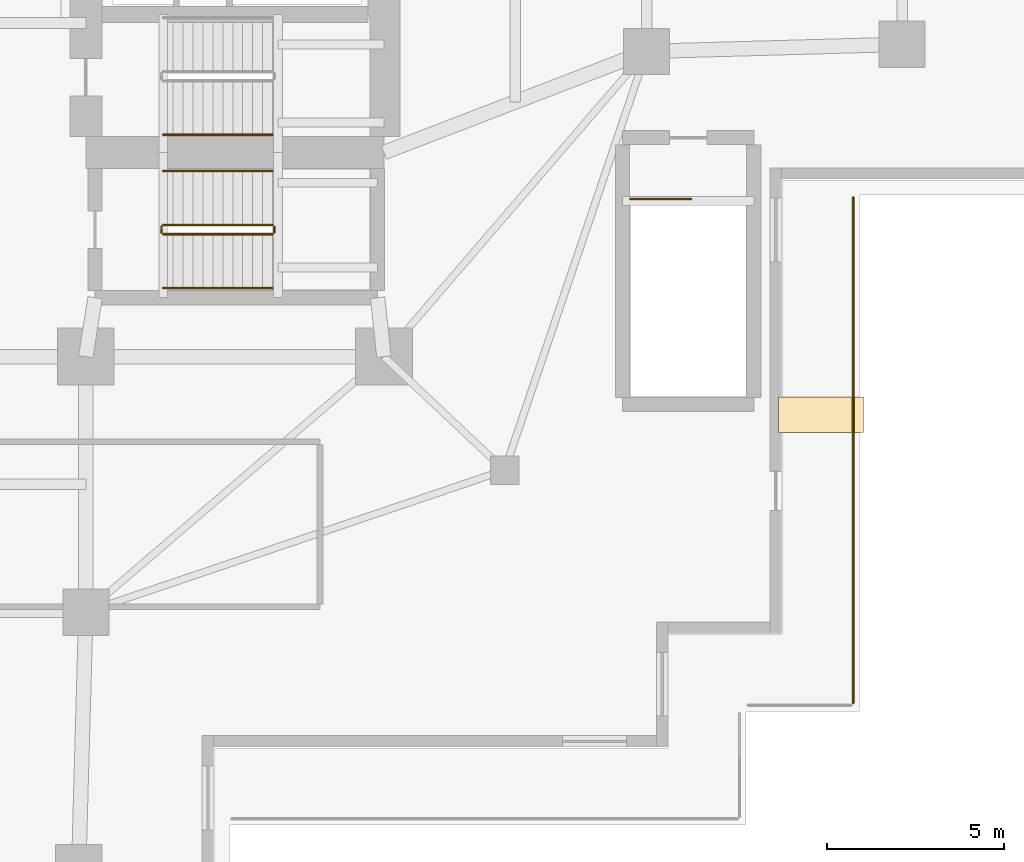
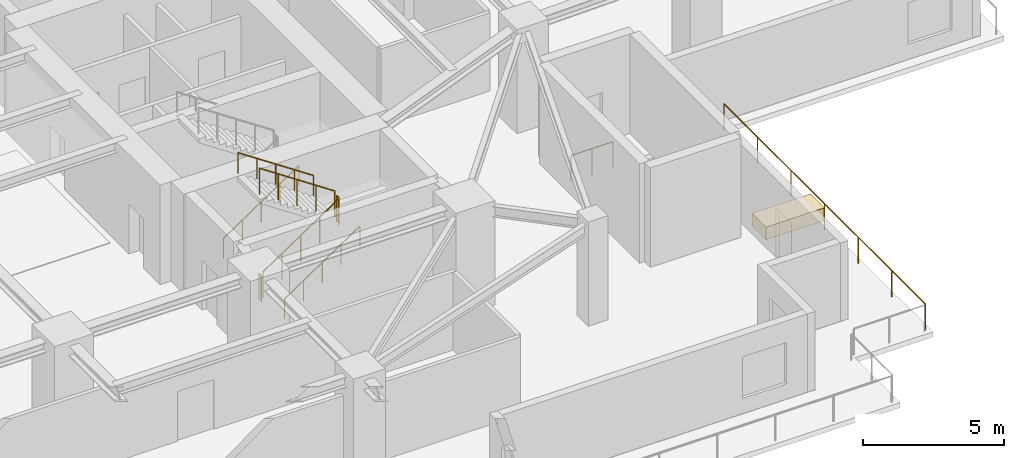
# One storey, part 20 of 24: 9 railings, 1 covering.
"""IFC4 building model written with IfcOpenShell, lengths in metres."""

from ifc_helpers import new_model, si_unit, direction, frame, origin, origin_2d, place, context, subcontext, project, spatial, rectangle, circle, extrude, material, layer, layer_set, type_object, element, save


model = new_model("IFC4")

# Units and contexts
model_context = context("Model", 3, precision=1e-05, world=origin(), true_north=direction((0.0, 1.0)))
body_context = subcontext(model_context, "Body", "Model", "MODEL_VIEW")
ifc_project = project(units=[si_unit("LENGTHUNIT", "METRE"), si_unit("AREAUNIT", "SQUARE_METRE"), si_unit("VOLUMEUNIT", "CUBIC_METRE"), si_unit("PLANEANGLEUNIT", "RADIAN"), si_unit("MASSUNIT", "GRAM", prefix="KILO")], contexts=[model_context])

# Site, building, storey
site_placement = place(None, origin())
site = spatial("IfcSite", under=ifc_project, at=site_placement, CompositionType="ELEMENT")
building_placement = place(site_placement, origin())
building = spatial("IfcBuilding", under=site, at=building_placement, Name="Qingluan Cross Belvedere", CompositionType="ELEMENT")
storey_placement = place(building_placement, frame((0.0, 0.0, 19.199951171875)))
storey = spatial("IfcBuildingStorey", under=building, at=storey_placement, Name="L05", CompositionType="ELEMENT", Elevation=19.199951171875)

# Railings
ifc_material_1 = material(Name="Brushed stainless steel tubular handrail", Category="steel")
railing_type_1 = type_object("IfcRailingType", Name="StairPitchHandrail_900", PredefinedType="HANDRAIL", material=ifc_material_1)
for number, where, name in (
    (1, (6.179931640625, -6.35009765625, 0.1875), "L05 ST2 stair handrail 1"),
    (2, (6.179931640625, -10.669921875, 0.1875), "L05 ST4 stair handrail 1"),
):
    element("IfcRailing", number, at=place(storey_placement, frame(where)), inside=storey, type_object=railing_type_1, Name=name, PredefinedType="HANDRAIL", context=body_context, shape_type="SweptSolid", body=[
        extrude(circle(Radius=0.02392578125, at=origin_2d()), frame((0.0, 0.0, 0.8759765625), z_axis=(0.830913701846, 0.0, 0.55640131208), x_axis=(0.0, 1.0, 0.0)), (0.0, 0.0, 1.0), 3.706787109375),
        extrude(circle(Radius=0.02099609375, at=origin_2d()), origin(), (0.0, 0.0, 1.0), 0.851806640625),
        extrude(circle(Radius=0.02099609375, at=origin_2d()), frame((0.77001953125, 0.0, 0.515625)), (0.0, 0.0, 1.0), 0.851806640625),
        extrude(circle(Radius=0.02099609375, at=origin_2d()), frame((1.5400390625, 0.0, 1.03125)), (0.0, 0.0, 1.0), 0.851806640625),
        extrude(circle(Radius=0.02099609375, at=origin_2d()), frame((2.31005859375, 0.0, 1.546875)), (0.0, 0.0, 1.0), 0.851806640625),
        extrude(circle(Radius=0.02099609375, at=origin_2d()), frame((3.080078125, 0.0, 2.0625)), (0.0, 0.0, 1.0), 0.851806640625),
    ])
railing_1_placement = place(storey_placement, frame((9.260009765625, -7.3701171875, 2.4375)))
element("IfcRailing", 3, at=railing_1_placement, inside=storey, type_object=railing_type_1, Name="L05 ST4 stair handrail 2", PredefinedType="HANDRAIL", context=body_context, shape_type="SweptSolid", body=[
    extrude(circle(Radius=0.02392578125, at=origin_2d()), frame((0.0, 0.0, 0.8759765625), z_axis=(-0.830913701846, 0.0, 0.55640131208), x_axis=(0.0, -1.0, 0.0)), (0.0, 0.0, 1.0), 3.706787109375),
    extrude(circle(Radius=0.02099609375, at=origin_2d()), origin(), (0.0, 0.0, 1.0), 0.851806640625),
    extrude(circle(Radius=0.02099609375, at=origin_2d()), frame((-0.77001953125, 0.0, 0.515625)), (0.0, 0.0, 1.0), 0.851806640625),
    extrude(circle(Radius=0.02099609375, at=origin_2d()), frame((-1.5400390625, 0.0, 1.03125)), (0.0, 0.0, 1.0), 0.851806640625),
    extrude(circle(Radius=0.02099609375, at=origin_2d()), frame((-2.31005859375, 0.0, 1.546875)), (0.0, 0.0, 1.0), 0.851806640625),
    extrude(circle(Radius=0.02099609375, at=origin_2d()), frame((-3.080078125, 0.0, 2.0625)), (0.0, 0.0, 1.0), 0.851806640625),
])
ifc_material_2 = material(Name="Painted steel stair well guard", Category="steel")
railing_type_2 = type_object("IfcRailingType", Name="StairWellGuard_1150", PredefinedType="BALUSTRADE", material=ifc_material_2)
railing_2_placement = place(storey_placement, frame((6.179931640625, -9.14990234375, 0.1875)))
element("IfcRailing", 4, at=railing_2_placement, inside=storey, type_object=railing_type_2, Name="L05 ST4 stair guard 1", PredefinedType="BALUSTRADE", context=body_context, shape_type="SweptSolid", body=[
    extrude(circle(Radius=0.02392578125, at=origin_2d()), frame((0.0, 0.0, 1.1259765625), z_axis=(0.830913701846, 0.0, 0.55640131208), x_axis=(0.0, 1.0, 0.0)), (0.0, 0.0, 1.0), 3.706787109375),
    extrude(circle(Radius=0.02099609375, at=origin_2d()), origin(), (0.0, 0.0, 1.0), 1.101806640625),
    extrude(circle(Radius=0.02099609375, at=origin_2d()), frame((0.77001953125, 0.0, 0.515625)), (0.0, 0.0, 1.0), 1.101806640625),
    extrude(circle(Radius=0.02099609375, at=origin_2d()), frame((1.5400390625, 0.0, 1.03125)), (0.0, 0.0, 1.0), 1.101806640625),
    extrude(circle(Radius=0.02099609375, at=origin_2d()), frame((2.31005859375, 0.0, 1.546875)), (0.0, 0.0, 1.0), 1.101806640625),
    extrude(circle(Radius=0.02099609375, at=origin_2d()), frame((3.080078125, 0.0, 2.0625)), (0.0, 0.0, 1.0), 1.101806640625),
])
railing_3_placement = place(storey_placement, frame((9.31005859375, -9.10009765625, 2.25)))
element("IfcRailing", 5, at=railing_3_placement, inside=storey, type_object=railing_type_2, Name="L05 ST4 stair guard 2", PredefinedType="BALUSTRADE", context=body_context, shape_type="SweptSolid", body=[
    extrude(circle(Radius=0.02392578125, at=origin_2d()), frame((0.0, 0.0, 1.1259765625), z_axis=(0.0, 1.0, 0.0), x_axis=(-1.0, 0.0, 0.0)), (0.0, 0.0, 1.0), 0.16015625),
    extrude(circle(Radius=0.02099609375, at=origin_2d()), origin(), (0.0, 0.0, 1.0), 1.101806640625),
    extrude(circle(Radius=0.02099609375, at=origin_2d()), frame((0.0, 0.16015625, 0.0)), (0.0, 0.0, 1.0), 1.101806640625),
])
railing_4_placement = place(storey_placement, frame((9.260009765625, -8.889892578125, 2.4375)))
element("IfcRailing", 6, at=railing_4_placement, inside=storey, type_object=railing_type_2, Name="L05 ST4 stair guard 3", PredefinedType="BALUSTRADE", context=body_context, shape_type="SweptSolid", body=[
    extrude(circle(Radius=0.02392578125, at=origin_2d()), frame((0.0, 0.0, 1.1259765625), z_axis=(-0.830913701846, 0.0, 0.55640131208), x_axis=(0.0, -1.0, 0.0)), (0.0, 0.0, 1.0), 3.706787109375),
    extrude(circle(Radius=0.02099609375, at=origin_2d()), origin(), (0.0, 0.0, 1.0), 1.101806640625),
    extrude(circle(Radius=0.02099609375, at=origin_2d()), frame((-0.77001953125, 0.0, 0.515625)), (0.0, 0.0, 1.0), 1.101806640625),
    extrude(circle(Radius=0.02099609375, at=origin_2d()), frame((-1.5400390625, 0.0, 1.03125)), (0.0, 0.0, 1.0), 1.101806640625),
    extrude(circle(Radius=0.02099609375, at=origin_2d()), frame((-2.31005859375, 0.0, 1.546875)), (0.0, 0.0, 1.0), 1.101806640625),
    extrude(circle(Radius=0.02099609375, at=origin_2d()), frame((-3.080078125, 0.0, 2.0625)), (0.0, 0.0, 1.0), 1.101806640625),
])
railing_5_placement = place(storey_placement, frame((6.1298828125, -9.10009765625, 0.0)))
element("IfcRailing", 7, at=railing_5_placement, inside=storey, type_object=railing_type_2, Name="L05 ST4 stair guard 4", PredefinedType="BALUSTRADE", context=body_context, shape_type="SweptSolid", body=[
    extrude(circle(Radius=0.02392578125, at=origin_2d()), frame((0.0, 0.0, 1.1259765625), z_axis=(0.0, 1.0, 0.0), x_axis=(-1.0, 0.0, 0.0)), (0.0, 0.0, 1.0), 0.16015625),
    extrude(circle(Radius=0.02099609375, at=origin_2d()), origin(), (0.0, 0.0, 1.0), 1.101806640625),
    extrude(circle(Radius=0.02099609375, at=origin_2d()), frame((0.0, 0.16015625, 0.0)), (0.0, 0.0, 1.0), 1.101806640625),
])
railing_6_placement = place(storey_placement, frame((19.340087890625, -8.159912109375, 0.0)))
element("IfcRailing", 8, at=railing_6_placement, inside=storey, type_object=railing_type_2, Name="L05 ST6 top well guard 1", PredefinedType="BALUSTRADE", context=body_context, shape_type="SweptSolid", body=[
    extrude(circle(Radius=0.02392578125, at=origin_2d()), frame((0.0, 0.0, 1.1259765625), z_axis=(1.0, 0.0, 0.0), x_axis=(0.0, 1.0, 0.0)), (0.0, 0.0, 1.0), 1.7099609375),
    extrude(circle(Radius=0.02099609375, at=origin_2d()), origin(), (0.0, 0.0, 1.0), 1.101806640625),
    extrude(circle(Radius=0.02099609375, at=origin_2d()), frame((0.85498046875, 0.0, 0.0)), (0.0, 0.0, 1.0), 1.101806640625),
    extrude(circle(Radius=0.02099609375, at=origin_2d()), frame((1.7099609375, 0.0, 0.0)), (0.0, 0.0, 1.0), 1.101806640625),
])
ifc_material_3 = material(Name="Laminated glass and stainless steel balustrade", Category="steel")
railing_type_3 = type_object("IfcRailingType", Name="TerraceGuardBalustrade_1150", PredefinedType="BALUSTRADE", material=ifc_material_3)
railing_7_placement = place(storey_placement, frame((25.6201171875, -8.110107421875, 0.0)))
element("IfcRailing", 9, at=railing_7_placement, inside=storey, type_object=railing_type_3, Name="Terrace guard L05-3", PredefinedType="BALUSTRADE", context=body_context, shape_type="SweptSolid", body=[
    extrude(circle(Radius=0.02392578125, at=origin_2d()), frame((0.0, 0.0, 1.1259765625), z_axis=(0.0, -1.0, 0.0), x_axis=(1.0, 0.0, 0.0)), (0.0, 0.0, 1.0), 14.25),
    extrude(circle(Radius=0.02099609375, at=origin_2d()), origin(), (0.0, 0.0, 1.0), 1.101806640625),
    extrude(circle(Radius=0.02099609375, at=origin_2d()), frame((0.0, -2.375, 0.0)), (0.0, 0.0, 1.0), 1.101806640625),
    extrude(circle(Radius=0.02099609375, at=origin_2d()), frame((0.0, -4.75, 0.0)), (0.0, 0.0, 1.0), 1.101806640625),
    extrude(circle(Radius=0.02099609375, at=origin_2d()), frame((0.0, -7.125, 0.0)), (0.0, 0.0, 1.0), 1.101806640625),
    extrude(circle(Radius=0.02099609375, at=origin_2d()), frame((0.0, -9.5, 0.0)), (0.0, 0.0, 1.0), 1.101806640625),
    extrude(circle(Radius=0.02099609375, at=origin_2d()), frame((0.0, -11.875, 0.0)), (0.0, 0.0, 1.0), 1.101806640625),
    extrude(circle(Radius=0.02099609375, at=origin_2d()), frame((0.0, -14.25, 0.0)), (0.0, 0.0, 1.0), 1.101806640625),
])

# Covering
ifc_material_4 = material(Name="Precast concrete C40", Category="concrete")
ifc_layer = layer(ifc_material_4, 0.550048828125, Name="TerracePlanterBox")
ifc_layer_set = layer_set([ifc_layer], Name="Precast concrete C40")
covering_type = type_object("IfcCoveringType", Name="TerracePlanterBox", PredefinedType="USERDEFINED", material=ifc_layer_set)
covering_placement = place(storey_placement, frame((24.708984375, -14.23095703125, 0.0), z_axis=(0.0, 0.0, 1.0), x_axis=(1.0, 0.0, 0.0)))
element("IfcCovering", 10, at=covering_placement, inside=storey, type_object=covering_type, Name="Cascading garden terrace planter L05-4", ObjectType="PLANTER", PredefinedType="USERDEFINED", context=body_context, shape_type="SweptSolid", body=[
    extrude(rectangle(XDim=2.39990234375, YDim=1.0, at=origin_2d()), origin(), (0.0, 0.0, 1.0), 0.550048828125),
])

save(model, "model.ifc")
